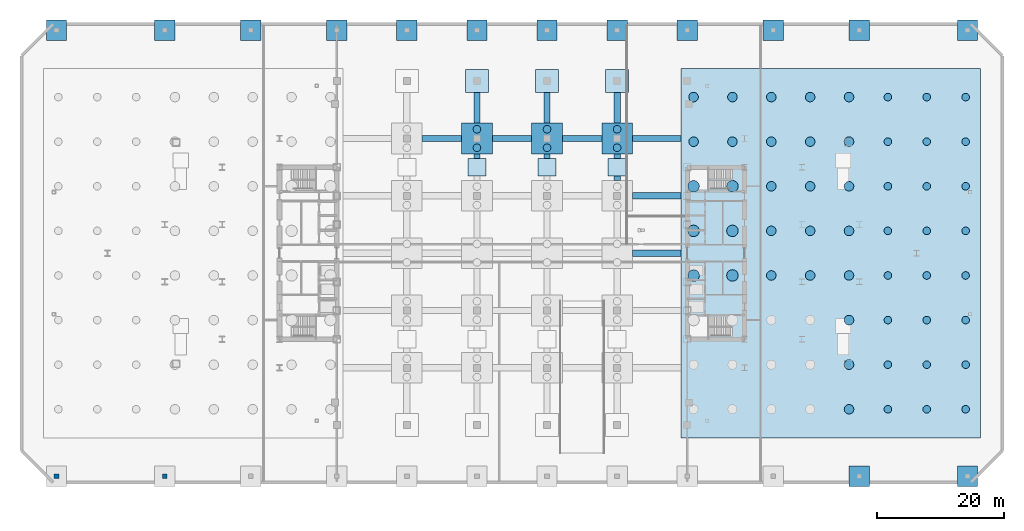
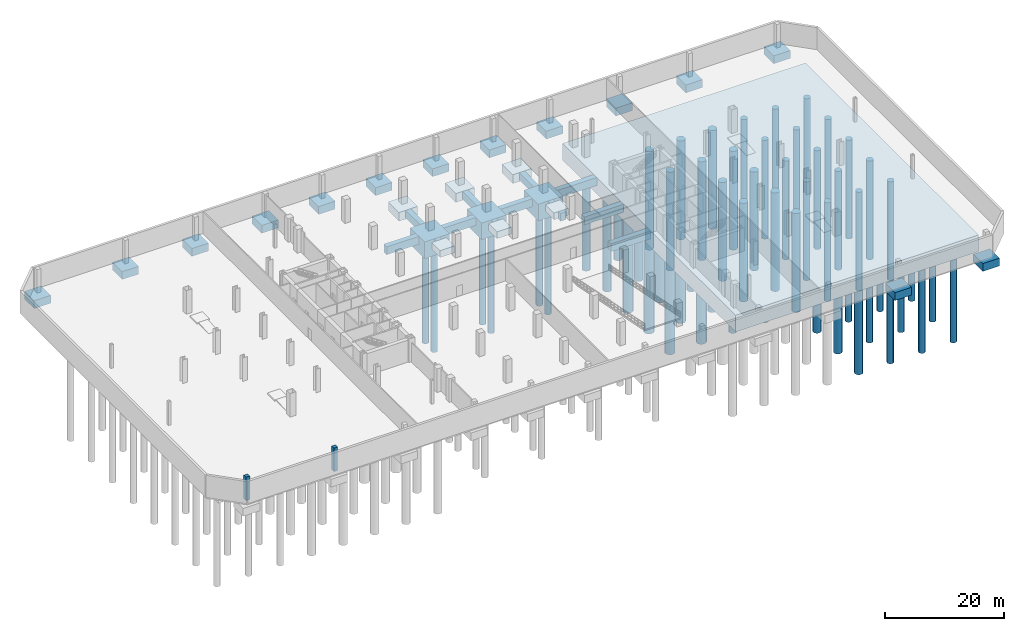
# One storey, part 2 of 18: 58 piles, 37 footings, 2 columns.
"""IFC4 building model written with IfcOpenShell, lengths in metres."""

from ifc_helpers import new_model, si_unit, direction, frame, origin, origin_2d, place, context, subcontext, project, spatial, rectangle, circle, extrude, source, transform, mapped, material, layer, layer_set, material_profile, profile_set, type_object, type_shapes, element, save


model = new_model("IFC4")

# Units and contexts
model_context = context("Model", 3, precision=1e-05, world=origin(), true_north=direction((0.0, 1.0)))
body_context = subcontext(model_context, "Body", "Model", "MODEL_VIEW")
ifc_project = project(units=[si_unit("LENGTHUNIT", "METRE"), si_unit("AREAUNIT", "SQUARE_METRE"), si_unit("VOLUMEUNIT", "CUBIC_METRE"), si_unit("PLANEANGLEUNIT", "RADIAN"), si_unit("MASSUNIT", "GRAM", prefix="KILO")], contexts=[model_context])

# Site, building, storey
site_placement = place(None, origin())
site = spatial("IfcSite", under=ifc_project, at=site_placement, CompositionType="ELEMENT")
building_placement = place(site_placement, origin())
building = spatial("IfcBuilding", under=site, at=building_placement, Name="Seokmaru Belvedere", CompositionType="ELEMENT")
storey_placement = place(building_placement, frame((0.0, 0.0, -9.60009765625)))
storey = spatial("IfcBuildingStorey", under=building, at=storey_placement, Name="B2", CompositionType="ELEMENT", Elevation=-9.60009765625)

# Footing
ifc_material_1 = material(Name="Concrete C50 (50 MPa)", Category="concrete")
ifc_layer_1 = layer(ifc_material_1, 3.39990234375)
ifc_layer_set_1 = layer_set([ifc_layer_1], Name="Concrete C50 (50 MPa)")
footing_type_1 = type_object("IfcFootingType", Name="Piled-Raft Mat Foundation 3400", PredefinedType="PILE_CAP", material=ifc_layer_set_1)
shared_shape_1 = source(origin(), body_context, "Body", "SweptSolid", [
    extrude(rectangle(XDim=47.0, YDim=58.0, at=origin_2d()), origin(), (0.0, 0.0, 1.0), 3.39990234375),
])
type_shapes(footing_type_1, [shared_shape_1])
footing_placement = place(storey_placement, frame((50.0, 0.0, -3.7998046875), z_axis=(0.0, 0.0, 1.0), x_axis=(1.0, 0.0, 0.0)))
element("IfcFooting", 1, at=footing_placement, inside=storey, type_object=footing_type_1, Name="East Tower Piled-Raft Mat Foundation", PredefinedType="PILE_CAP", context=body_context, shape_type="MappedRepresentation", body=[
    mapped(shared_shape_1, transform((0.0, 0.0, 0.0), scale=1.0)),
])

# Piles
ifc_material_profile_1 = material_profile(ifc_material_1, circle(Radius=0.75, at=origin_2d()), Name="PILE-D1500")
ifc_profile_set_1 = profile_set([ifc_material_profile_1], Name="Concrete C50 (50 MPa)")
pile_type_1 = type_object("IfcPileType", Name="Rock-Socketed Bored Pile D1500", PredefinedType="BORED", material=ifc_profile_set_1)
shared_shape_2 = source(origin(), body_context, "Body", "SweptSolid", [
    extrude(circle(Radius=0.75, at=origin_2d()), origin(), (0.0, 0.0, 1.0), 20.199951171875),
])
type_shapes(pile_type_1, [shared_shape_2])
for number, where, z_axis, x_axis, name in (
    (2, (28.5, 17.5, -3.7998046875), (0.0, 0.0, -1.0), (1.0, 0.0, 0.0), "East Mat Bored Pile 007"),
    (3, (28.5, 24.5, -3.7998046875), (0.0, 0.0, -1.0), (1.0, 0.0, 0.0), "East Mat Bored Pile 008"),
    (4, (34.60009765625, 17.5, -3.7998046875), (0.0, 0.0, -1.0), (1.0, 0.0, 0.0), "East Mat Bored Pile 015"),
    (5, (34.60009765625, 24.5, -3.7998046875), (0.0, 0.0, -1.0), (1.0, 0.0, 0.0), "East Mat Bored Pile 016"),
    (6, (40.699951171875, -3.5, -3.7998046875), (0.0, 0.0, -1.0), (1.0, 0.0, 0.0), "East Mat Bored Pile 020"),
    (7, (40.699951171875, 3.5, -3.7998046875), (0.0, 0.0, -1.0), (1.0, 0.0, 0.0), "East Mat Bored Pile 021"),
    (8, (40.699951171875, 10.5, -3.7998046875), (0.0, 0.0, -1.0), (1.0, 0.0, 0.0), "East Mat Bored Pile 022"),
    (9, (40.699951171875, 17.5, -3.7998046875), (0.0, 0.0, -1.0), (1.0, 0.0, 0.0), "East Mat Bored Pile 023"),
    (10, (40.699951171875, 24.5, -3.7998046875), (0.0, 0.0, -1.0), (1.0, 0.0, 0.0), "East Mat Bored Pile 024"),
    (11, (46.800048828125, -3.5, -3.7998046875), (0.0, 0.0, -1.0), (1.0, 0.0, 0.0), "East Mat Bored Pile 028"),
    (12, (46.800048828125, 3.5, -3.7998046875), (0.0, 0.0, -1.0), (1.0, 0.0, 0.0), "East Mat Bored Pile 029"),
    (13, (46.800048828125, 10.5, -3.7998046875), (0.0, 0.0, -1.0), (1.0, 0.0, 0.0), "East Mat Bored Pile 030"),
    (14, (46.800048828125, 17.5, -3.7998046875), (0.0, 0.0, -1.0), (1.0, 0.0, 0.0), "East Mat Bored Pile 031"),
    (15, (46.800048828125, 24.5, -3.7998046875), (0.0, 0.0, -1.0), (1.0, 0.0, 0.0), "East Mat Bored Pile 032"),
    (16, (52.89990234375, -24.5, -3.7998046875), (0.0, 0.0, -1.0), (1.0, 0.0, 0.0), "East Mat Bored Pile 033"),
    (17, (52.89990234375, -17.5, -3.7998046875), (0.0, 0.0, -1.0), (1.0, 0.0, 0.0), "East Mat Bored Pile 034"),
    (18, (52.89990234375, -10.5, -3.7998046875), (0.0, 0.0, -1.0), (1.0, 0.0, 0.0), "East Mat Bored Pile 035"),
    (19, (52.89990234375, -3.5, -3.7998046875), (0.0, 0.0, -1.0), (1.0, 0.0, 0.0), "East Mat Bored Pile 036"),
    (20, (52.89990234375, 3.5, -3.7998046875), (0.0, 0.0, -1.0), (1.0, 0.0, 0.0), "East Mat Bored Pile 037"),
    (21, (52.89990234375, 10.5, -3.7998046875), (0.0, 0.0, -1.0), (1.0, 0.0, 0.0), "East Mat Bored Pile 038"),
    (22, (52.89990234375, 17.5, -3.7998046875), (0.0, 0.0, -1.0), (1.0, 0.0, 0.0), "East Mat Bored Pile 039"),
    (23, (52.89990234375, 24.5, -3.7998046875), (0.0, 0.0, -1.0), (1.0, 0.0, 0.0), "East Mat Bored Pile 040"),
):
    element("IfcPile", number, at=place(storey_placement, frame(where, z_axis=z_axis, x_axis=x_axis)), inside=storey, type_object=pile_type_1, Name=name, PredefinedType="BORED", context=body_context, shape_type="MappedRepresentation", body=[
        mapped(shared_shape_2, transform((0.0, 0.0, 0.0), scale=1.0)),
    ])
ifc_material_profile_2 = material_profile(ifc_material_1, circle(Radius=0.89990234375, at=origin_2d()), Name="PILE-D1800")
ifc_profile_set_2 = profile_set([ifc_material_profile_2], Name="Concrete C50 (50 MPa)")
pile_type_2 = type_object("IfcPileType", Name="Rock-Socketed Bored Pile D1800", PredefinedType="BORED", material=ifc_profile_set_2)
shared_shape_3 = source(origin(), body_context, "Body", "SweptSolid", [
    extrude(circle(Radius=0.89990234375, at=origin_2d()), origin(), (0.0, 0.0, 1.0), 20.199951171875),
])
type_shapes(pile_type_2, [shared_shape_3])
for number, where, z_axis, x_axis, name in (
    (24, (28.5, -3.5, -3.7998046875), (0.0, 0.0, -1.0), (1.0, 0.0, 0.0), "East Mat Bored Pile 004"),
    (25, (28.5, 3.5, -3.7998046875), (0.0, 0.0, -1.0), (1.0, 0.0, 0.0), "East Mat Bored Pile 005"),
    (26, (28.5, 10.5, -3.7998046875), (0.0, 0.0, -1.0), (1.0, 0.0, 0.0), "East Mat Bored Pile 006"),
    (27, (34.60009765625, -3.5, -3.7998046875), (0.0, 0.0, -1.0), (1.0, 0.0, 0.0), "East Mat Bored Pile 012"),
    (28, (34.60009765625, 3.5, -3.7998046875), (0.0, 0.0, -1.0), (1.0, 0.0, 0.0), "East Mat Bored Pile 013"),
    (29, (34.60009765625, 10.5, -3.7998046875), (0.0, 0.0, -1.0), (1.0, 0.0, 0.0), "East Mat Bored Pile 014"),
):
    element("IfcPile", number, at=place(storey_placement, frame(where, z_axis=z_axis, x_axis=x_axis)), inside=storey, type_object=pile_type_2, Name=name, PredefinedType="BORED", context=body_context, shape_type="MappedRepresentation", body=[
        mapped(shared_shape_3, transform((0.0, 0.0, 0.0), scale=1.0)),
    ])
ifc_material_profile_3 = material_profile(ifc_material_1, circle(Radius=0.60009765625, at=origin_2d()), Name="PILE-D1200")
ifc_profile_set_3 = profile_set([ifc_material_profile_3], Name="Concrete C50 (50 MPa)")
pile_type_3 = type_object("IfcPileType", Name="Rock-Socketed Bored Pile D1200", PredefinedType="BORED", material=ifc_profile_set_3)
shared_shape_4 = source(origin(), body_context, "Body", "SweptSolid", [
    extrude(circle(Radius=0.60009765625, at=origin_2d()), origin(), (0.0, 0.0, 1.0), 20.199951171875),
])
type_shapes(pile_type_3, [shared_shape_4])
for number, where, z_axis, x_axis, name in (
    (30, (59.0, -24.5, -3.7998046875), (0.0, 0.0, -1.0), (1.0, 0.0, 0.0), "East Mat Bored Pile 041"),
    (31, (59.0, -17.5, -3.7998046875), (0.0, 0.0, -1.0), (1.0, 0.0, 0.0), "East Mat Bored Pile 042"),
    (32, (59.0, -10.5, -3.7998046875), (0.0, 0.0, -1.0), (1.0, 0.0, 0.0), "East Mat Bored Pile 043"),
    (33, (59.0, -3.5, -3.7998046875), (0.0, 0.0, -1.0), (1.0, 0.0, 0.0), "East Mat Bored Pile 044"),
    (34, (59.0, 3.5, -3.7998046875), (0.0, 0.0, -1.0), (1.0, 0.0, 0.0), "East Mat Bored Pile 045"),
    (35, (59.0, 10.5, -3.7998046875), (0.0, 0.0, -1.0), (1.0, 0.0, 0.0), "East Mat Bored Pile 046"),
    (36, (59.0, 17.5, -3.7998046875), (0.0, 0.0, -1.0), (1.0, 0.0, 0.0), "East Mat Bored Pile 047"),
    (37, (59.0, 24.5, -3.7998046875), (0.0, 0.0, -1.0), (1.0, 0.0, 0.0), "East Mat Bored Pile 048"),
    (38, (65.10009765625, -24.5, -3.7998046875), (0.0, 0.0, -1.0), (1.0, 0.0, 0.0), "East Mat Bored Pile 049"),
    (39, (65.10009765625, -17.5, -3.7998046875), (0.0, 0.0, -1.0), (1.0, 0.0, 0.0), "East Mat Bored Pile 050"),
    (40, (65.10009765625, -10.5, -3.7998046875), (0.0, 0.0, -1.0), (1.0, 0.0, 0.0), "East Mat Bored Pile 051"),
    (41, (65.10009765625, -3.5, -3.7998046875), (0.0, 0.0, -1.0), (1.0, 0.0, 0.0), "East Mat Bored Pile 052"),
    (42, (65.10009765625, 3.5, -3.7998046875), (0.0, 0.0, -1.0), (1.0, 0.0, 0.0), "East Mat Bored Pile 053"),
    (43, (65.10009765625, 10.5, -3.7998046875), (0.0, 0.0, -1.0), (1.0, 0.0, 0.0), "East Mat Bored Pile 054"),
    (44, (65.10009765625, 17.5, -3.7998046875), (0.0, 0.0, -1.0), (1.0, 0.0, 0.0), "East Mat Bored Pile 055"),
    (45, (65.10009765625, 24.5, -3.7998046875), (0.0, 0.0, -1.0), (1.0, 0.0, 0.0), "East Mat Bored Pile 056"),
    (46, (71.199951171875, -24.5, -3.7998046875), (0.0, 0.0, -1.0), (1.0, 0.0, 0.0), "East Mat Bored Pile 057"),
    (47, (71.199951171875, -17.5, -3.7998046875), (0.0, 0.0, -1.0), (1.0, 0.0, 0.0), "East Mat Bored Pile 058"),
    (48, (71.199951171875, -10.5, -3.7998046875), (0.0, 0.0, -1.0), (1.0, 0.0, 0.0), "East Mat Bored Pile 059"),
    (49, (71.199951171875, -3.5, -3.7998046875), (0.0, 0.0, -1.0), (1.0, 0.0, 0.0), "East Mat Bored Pile 060"),
    (50, (71.199951171875, 3.5, -3.7998046875), (0.0, 0.0, -1.0), (1.0, 0.0, 0.0), "East Mat Bored Pile 061"),
    (51, (71.199951171875, 10.5, -3.7998046875), (0.0, 0.0, -1.0), (1.0, 0.0, 0.0), "East Mat Bored Pile 062"),
    (52, (71.199951171875, 17.5, -3.7998046875), (0.0, 0.0, -1.0), (1.0, 0.0, 0.0), "East Mat Bored Pile 063"),
    (53, (71.199951171875, 24.5, -3.7998046875), (0.0, 0.0, -1.0), (1.0, 0.0, 0.0), "East Mat Bored Pile 064"),
    (54, (-5.5, 16.550048828125, -3.7998046875), (0.0, 0.0, -1.0), (1.0, 0.0, 0.0), "Central Cap Bored Pile 2-5-1"),
    (55, (-5.5, 19.449951171875, -3.7998046875), (0.0, 0.0, -1.0), (1.0, 0.0, 0.0), "Central Cap Bored Pile 2-5-2"),
    (56, (5.5, 16.550048828125, -3.7998046875), (0.0, 0.0, -1.0), (1.0, 0.0, 0.0), "Central Cap Bored Pile 3-5-1"),
    (57, (5.5, 19.449951171875, -3.7998046875), (0.0, 0.0, -1.0), (1.0, 0.0, 0.0), "Central Cap Bored Pile 3-5-2"),
    (58, (16.5, 16.550048828125, -3.7998046875), (0.0, 0.0, -1.0), (1.0, 0.0, 0.0), "Central Cap Bored Pile 4-5-1"),
    (59, (16.5, 19.449951171875, -3.7998046875), (0.0, 0.0, -1.0), (1.0, 0.0, 0.0), "Central Cap Bored Pile 4-5-2"),
):
    element("IfcPile", number, at=place(storey_placement, frame(where, z_axis=z_axis, x_axis=x_axis)), inside=storey, type_object=pile_type_3, Name=name, PredefinedType="BORED", context=body_context, shape_type="MappedRepresentation", body=[
        mapped(shared_shape_4, transform((0.0, 0.0, 0.0), scale=1.0)),
    ])

# Footings
ifc_layer_2 = layer(ifc_material_1, 3.39990234375)
ifc_layer_set_2 = layer_set([ifc_layer_2], Name="Concrete C50 (50 MPa)")
footing_type_2 = type_object("IfcFootingType", Name="Central Podium Pile Cap 4800x4800", PredefinedType="PILE_CAP", material=ifc_layer_set_2)
shared_shape_5 = source(origin(), body_context, "Body", "SweptSolid", [
    extrude(rectangle(XDim=4.800048828125, YDim=4.800048828125, at=origin_2d()), origin(), (0.0, 0.0, 1.0), 3.39990234375),
])
type_shapes(footing_type_2, [shared_shape_5])
for number, where, z_axis, x_axis, name in (
    (60, (-5.5, 18.0, -3.7998046875), (0.0, 0.0, 1.0), (1.0, 0.0, 0.0), "Central Podium Pile Cap 2-5"),
    (61, (5.5, 18.0, -3.7998046875), (0.0, 0.0, 1.0), (1.0, 0.0, 0.0), "Central Podium Pile Cap 3-5"),
    (62, (16.5, 18.0, -3.7998046875), (0.0, 0.0, 1.0), (1.0, 0.0, 0.0), "Central Podium Pile Cap 4-5"),
):
    element("IfcFooting", number, at=place(storey_placement, frame(where, z_axis=z_axis, x_axis=x_axis)), inside=storey, type_object=footing_type_2, Name=name, PredefinedType="PILE_CAP", context=body_context, shape_type="MappedRepresentation", body=[
        mapped(shared_shape_5, transform((0.0, 0.0, 0.0), scale=1.0)),
    ])
ifc_material_2 = material(Name="Concrete C40 (40 MPa)", Category="concrete")
ifc_layer_3 = layer(ifc_material_2, 1.800048828125)
ifc_layer_set_3 = layer_set([ifc_layer_3], Name="Concrete C40 (40 MPa)")
footing_type_3 = type_object("IfcFootingType", Name="Perimeter Pad Footing 3600x3600", PredefinedType="PAD_FOOTING", material=ifc_layer_set_3)
shared_shape_6 = source(origin(), body_context, "Body", "SweptSolid", [
    extrude(rectangle(XDim=3.60009765625, YDim=3.60009765625, at=origin_2d()), origin(), (0.0, 0.0, 1.0), 1.800048828125),
])
type_shapes(footing_type_3, [shared_shape_6])
for number, where, z_axis, x_axis, name in (
    (63, (-5.5, 27.0, -2.19970703125), (0.0, 0.0, 1.0), (1.0, 0.0, 0.0), "Podium Perimeter Pad Footing 2-N"),
    (64, (5.5, 27.0, -2.19970703125), (0.0, 0.0, 1.0), (1.0, 0.0, 0.0), "Podium Perimeter Pad Footing 3-N"),
    (65, (16.5, 27.0, -2.19970703125), (0.0, 0.0, 1.0), (1.0, 0.0, 0.0), "Podium Perimeter Pad Footing 4-N"),
):
    element("IfcFooting", number, at=place(storey_placement, frame(where, z_axis=z_axis, x_axis=x_axis)), inside=storey, type_object=footing_type_3, Name=name, PredefinedType="PAD_FOOTING", context=body_context, shape_type="MappedRepresentation", body=[
        mapped(shared_shape_6, transform((0.0, 0.0, 0.0), scale=1.0)),
    ])
ifc_layer_4 = layer(ifc_material_2, 1.39990234375)
ifc_layer_set_4 = layer_set([ifc_layer_4], Name="Concrete C40 (40 MPa)")
footing_type_4 = type_object("IfcFootingType", Name="Ramp Pad Footing 2800x2800", PredefinedType="PAD_FOOTING", material=ifc_layer_set_4)
shared_shape_7 = source(origin(), body_context, "Body", "SweptSolid", [
    extrude(rectangle(XDim=2.800048828125, YDim=2.800048828125, at=origin_2d()), origin(), (0.0, 0.0, 1.0), 1.39990234375),
])
type_shapes(footing_type_4, [shared_shape_7])
for number, where, z_axis, x_axis, name in (
    (66, (-5.5, 13.5, -1.7998046875), (0.0, 0.0, 1.0), (1.0, 0.0, 0.0), "Terrace Grid Pad Footing 2-MN"),
    (67, (5.5, 13.5, -1.7998046875), (0.0, 0.0, 1.0), (1.0, 0.0, 0.0), "Terrace Grid Pad Footing 3-MN"),
    (68, (16.5, 13.5, -1.7998046875), (0.0, 0.0, 1.0), (1.0, 0.0, 0.0), "Terrace Grid Pad Footing 4-MN"),
):
    element("IfcFooting", number, at=place(storey_placement, frame(where, z_axis=z_axis, x_axis=x_axis)), inside=storey, type_object=footing_type_4, Name=name, PredefinedType="PAD_FOOTING", context=body_context, shape_type="MappedRepresentation", body=[
        mapped(shared_shape_7, transform((0.0, 0.0, 0.0), scale=1.0)),
    ])
ifc_layer_5 = layer(ifc_material_2, 1.60009765625)
ifc_layer_set_5 = layer_set([ifc_layer_5], Name="Concrete C40 (40 MPa)")
footing_type_5 = type_object("IfcFootingType", Name="Plaza Edge Pad Footing 3200x3200", PredefinedType="PAD_FOOTING", material=ifc_layer_set_5)
shared_shape_8 = source(origin(), body_context, "Body", "SweptSolid", [
    extrude(rectangle(XDim=3.199951171875, YDim=3.199951171875, at=origin_2d()), origin(), (0.0, 0.0, 1.0), 1.60009765625),
])
type_shapes(footing_type_5, [shared_shape_8])
for number, where, z_axis, x_axis, name in (
    (69, (-71.5, 35.0, -2.0), (0.0, 0.0, 1.0), (1.0, 0.0, 0.0), "Plaza Substructure Pad Footing 1-N"),
    (70, (-54.5, 35.0, -2.0), (0.0, 0.0, 1.0), (1.0, 0.0, 0.0), "Plaza Substructure Pad Footing 2-N"),
    (71, (-41.0, 35.0, -2.0), (0.0, 0.0, 1.0), (1.0, 0.0, 0.0), "Plaza Substructure Pad Footing 3-N"),
    (72, (-27.5, 35.0, -2.0), (0.0, 0.0, 1.0), (1.0, 0.0, 0.0), "Plaza Substructure Pad Footing 4-N"),
    (73, (-16.5, 35.0, -2.0), (0.0, 0.0, 1.0), (1.0, 0.0, 0.0), "Plaza Substructure Pad Footing 5-N"),
    (74, (-5.5, 35.0, -2.0), (0.0, 0.0, 1.0), (1.0, 0.0, 0.0), "Plaza Substructure Pad Footing 6-N"),
    (75, (5.5, 35.0, -2.0), (0.0, 0.0, 1.0), (1.0, 0.0, 0.0), "Plaza Substructure Pad Footing 7-N"),
    (76, (16.5, 35.0, -2.0), (0.0, 0.0, 1.0), (1.0, 0.0, 0.0), "Plaza Substructure Pad Footing 8-N"),
    (77, (27.5, 35.0, -2.0), (0.0, 0.0, 1.0), (1.0, 0.0, 0.0), "Plaza Substructure Pad Footing 9-N"),
    (78, (41.0, 35.0, -2.0), (0.0, 0.0, 1.0), (1.0, 0.0, 0.0), "Plaza Substructure Pad Footing 10-N"),
    (79, (54.5, -35.0, -2.0), (0.0, 0.0, 1.0), (1.0, 0.0, 0.0), "Plaza Substructure Pad Footing 11-S"),
    (80, (54.5, 35.0, -2.0), (0.0, 0.0, 1.0), (1.0, 0.0, 0.0), "Plaza Substructure Pad Footing 11-N"),
    (81, (71.5, -35.0, -2.0), (0.0, 0.0, 1.0), (1.0, 0.0, 0.0), "Plaza Substructure Pad Footing 12-S"),
    (82, (71.5, 35.0, -2.0), (0.0, 0.0, 1.0), (1.0, 0.0, 0.0), "Plaza Substructure Pad Footing 12-N"),
):
    element("IfcFooting", number, at=place(storey_placement, frame(where, z_axis=z_axis, x_axis=x_axis)), inside=storey, type_object=footing_type_5, Name=name, PredefinedType="PAD_FOOTING", context=body_context, shape_type="MappedRepresentation", body=[
        mapped(shared_shape_8, transform((0.0, 0.0, 0.0), scale=1.0)),
    ])
ifc_layer_6 = layer(ifc_material_1, 1.60009765625)
ifc_layer_set_6 = layer_set([ifc_layer_6], Name="Concrete C50 (50 MPa)")
footing_type_6 = type_object("IfcFootingType", Name="Foundation Ground Tie Beam 1000x1600", PredefinedType="FOOTING_BEAM", material=ifc_layer_set_6)
shared_shape_9 = source(origin(), body_context, "Body", "SweptSolid", [
    extrude(rectangle(XDim=7.60009765625, YDim=1.0, at=origin_2d()), origin(), (0.0, 0.0, 1.0), 1.60009765625),
])
for number, where, z_axis, x_axis, name in (
    (83, (22.699951171875, 0.0, -2.0), (0.0, 0.0, 1.0), (1.0, 0.0, 0.0), "Foundation Ground Tie Beam 015"),
    (84, (22.699951171875, 9.0, -2.0), (0.0, 0.0, 1.0), (1.0, 0.0, 0.0), "Foundation Ground Tie Beam 020"),
    (85, (22.699951171875, 18.0, -2.0), (0.0, 0.0, 1.0), (1.0, 0.0, 0.0), "Foundation Ground Tie Beam 025"),
):
    element("IfcFooting", number, at=place(storey_placement, frame(where, z_axis=z_axis, x_axis=x_axis)), inside=storey, type_object=footing_type_6, Name=name, PredefinedType="FOOTING_BEAM", context=body_context, shape_type="MappedRepresentation", body=[
        mapped(shared_shape_9, transform((0.0, 0.0, 0.0), scale=1.0)),
    ])
shared_shape_10 = source(origin(), body_context, "Body", "SweptSolid", [
    extrude(rectangle(XDim=6.199951171875, YDim=1.0, at=origin_2d()), origin(), (0.0, 0.0, 1.0), 1.60009765625),
])
for number, where, z_axis, x_axis, name in (
    (86, (-11.0, 18.0, -2.0), (0.0, 0.0, 1.0), (1.0, 0.0, 0.0), "Foundation Ground Tie Beam 022"),
    (87, (0.0, 18.0, -2.0), (0.0, 0.0, 1.0), (1.0, 0.0, 0.0), "Foundation Ground Tie Beam 023"),
    (88, (11.0, 18.0, -2.0), (0.0, 0.0, 1.0), (1.0, 0.0, 0.0), "Foundation Ground Tie Beam 024"),
):
    element("IfcFooting", number, at=place(storey_placement, frame(where, z_axis=z_axis, x_axis=x_axis)), inside=storey, type_object=footing_type_6, Name=name, PredefinedType="FOOTING_BEAM", context=body_context, shape_type="MappedRepresentation", body=[
        mapped(shared_shape_10, transform((0.0, 0.0, 0.0), scale=1.0)),
    ])
shared_shape_11 = source(origin(), body_context, "Body", "SweptSolid", [
    extrude(rectangle(XDim=1.0, YDim=4.800048828125, at=origin_2d()), origin(), (0.0, 0.0, 1.0), 1.60009765625),
])
for number, where, z_axis, x_axis, name in (
    (89, (-5.5, 22.800048828125, -2.0), (0.0, 0.0, 1.0), (1.0, 0.0, 0.0), "Foundation Ground Tie Beam 041"),
    (90, (5.5, 22.800048828125, -2.0), (0.0, 0.0, 1.0), (1.0, 0.0, 0.0), "Foundation Ground Tie Beam 049"),
    (91, (16.5, 22.800048828125, -2.0), (0.0, 0.0, 1.0), (1.0, 0.0, 0.0), "Foundation Ground Tie Beam 057"),
):
    element("IfcFooting", number, at=place(storey_placement, frame(where, z_axis=z_axis, x_axis=x_axis)), inside=storey, type_object=footing_type_6, Name=name, PredefinedType="FOOTING_BEAM", context=body_context, shape_type="MappedRepresentation", body=[
        mapped(shared_shape_11, transform((0.0, 0.0, 0.0), scale=1.0)),
    ])
shared_shape_12 = source(origin(), body_context, "Body", "SweptSolid", [
    extrude(rectangle(XDim=1.0, YDim=0.699951171875, at=origin_2d()), origin(), (0.0, 0.0, 1.0), 1.60009765625),
])
type_shapes(footing_type_6, [shared_shape_9, shared_shape_10, shared_shape_11, shared_shape_12])
for number, where, z_axis, x_axis, name in (
    (92, (-5.5, 15.25, -2.0), (0.0, 0.0, 1.0), (1.0, 0.0, 0.0), "Foundation Ground Tie Beam 040"),
    (93, (5.5, 15.25, -2.0), (0.0, 0.0, 1.0), (1.0, 0.0, 0.0), "Foundation Ground Tie Beam 048"),
    (94, (16.5, 11.75, -2.0), (0.0, 0.0, 1.0), (1.0, 0.0, 0.0), "Foundation Ground Tie Beam 055"),
    (95, (16.5, 15.25, -2.0), (0.0, 0.0, 1.0), (1.0, 0.0, 0.0), "Foundation Ground Tie Beam 056"),
):
    element("IfcFooting", number, at=place(storey_placement, frame(where, z_axis=z_axis, x_axis=x_axis)), inside=storey, type_object=footing_type_6, Name=name, PredefinedType="FOOTING_BEAM", context=body_context, shape_type="MappedRepresentation", body=[
        mapped(shared_shape_12, transform((0.0, 0.0, 0.0), scale=1.0)),
    ])

# Columns
ifc_material_profile_4 = material_profile(ifc_material_1, rectangle(XDim=0.75, YDim=0.75, at=origin_2d()), Name="RC-750x750")
ifc_profile_set_4 = profile_set([ifc_material_profile_4], Name="Concrete C50 (50 MPa)")
column_type = type_object("IfcColumnType", Name="Plaza Substructure Pier Column RC-750", PredefinedType="COLUMN", material=ifc_profile_set_4)
shared_shape_13 = source(origin(), body_context, "Body", "SweptSolid", [
    extrude(rectangle(XDim=0.75, YDim=0.75, at=origin_2d()), origin(), (0.0, 0.0, 1.0), 4.800048828125),
])
type_shapes(column_type, [shared_shape_13])
for number, where, z_axis, x_axis, name in (
    (96, (-71.5, -35.0, 0.0), (0.0, 0.0, 1.0), (1.0, 0.0, 0.0), "B2 Column PLZ_S1"),
    (97, (-54.5, -35.0, 0.0), (0.0, 0.0, 1.0), (1.0, 0.0, 0.0), "B2 Column PLZ_S2"),
):
    element("IfcColumn", number, at=place(storey_placement, frame(where, z_axis=z_axis, x_axis=x_axis)), inside=storey, type_object=column_type, Name=name, PredefinedType="COLUMN", context=body_context, shape_type="MappedRepresentation", body=[
        mapped(shared_shape_13, transform((0.0, 0.0, 0.0), scale=1.0)),
    ])

save(model, "model.ifc")
